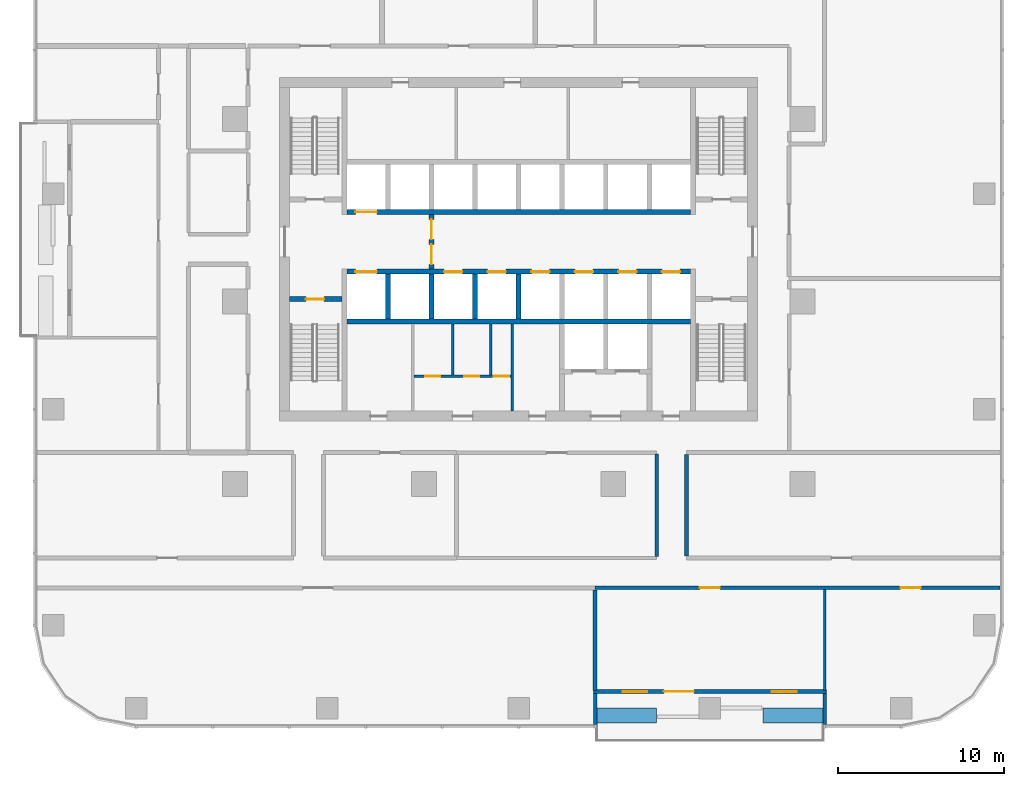
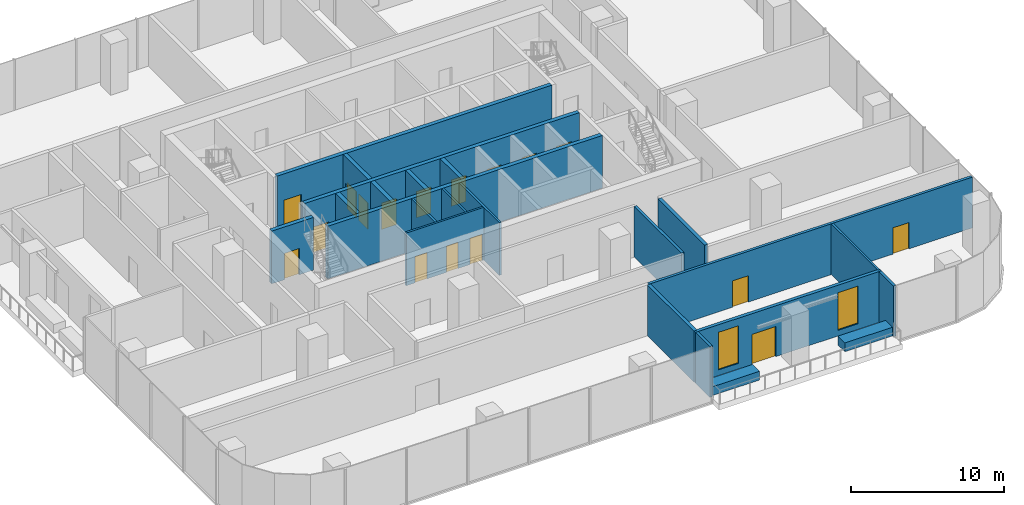
# One storey, part 8 of 15: 23 walls, 17 doors, 2 windows, 19 openings.
"""IFC4 building model written with IfcOpenShell, lengths in metres."""

from ifc_helpers import new_model, si_unit, direction, frame, frame_2d, origin, place, context, subcontext, project, spatial, rectangle, extrude, material, layer, layer_set, type_object, element, fill, save


model = new_model("IFC4")

# Units and contexts
model_context = context("Model", 3, precision=1e-05, world=origin(), true_north=direction((0.0, 1.0)))
body_context = subcontext(model_context, "Body", "Model", "MODEL_VIEW")
ifc_project = project(units=[si_unit("LENGTHUNIT", "METRE"), si_unit("AREAUNIT", "SQUARE_METRE"), si_unit("VOLUMEUNIT", "CUBIC_METRE"), si_unit("PLANEANGLEUNIT", "RADIAN"), si_unit("MASSUNIT", "GRAM", prefix="KILO")], contexts=[model_context])

# Site, building, storey
site_placement = place(None, origin())
site = spatial("IfcSite", under=ifc_project, at=site_placement, CompositionType="ELEMENT")
building_placement = place(site_placement, origin())
building = spatial("IfcBuilding", under=site, at=building_placement, Name="Mopane Tessera Tower", CompositionType="ELEMENT")
storey_placement = place(building_placement, frame((0.0, 0.0, 99.10009765625)))
storey = spatial("IfcBuildingStorey", under=building, at=storey_placement, Name="L19", CompositionType="ELEMENT", Elevation=99.10009765625)

# Wall, openings, doors
ifc_material_1 = material(Name="Fire-rated gypsum board partition")
ifc_layer_1 = layer(ifc_material_1, 0.14990234375)
ifc_layer_set_1 = layer_set([ifc_layer_1], Name="Fire-rated gypsum board partition")
wall_type_1 = type_object("IfcWallType", Name="Core room partition 150 mm", PredefinedType="PARTITIONING", material=ifc_layer_set_1)
wall_1_placement = place(storey_placement, frame((-6.300048828125, -4.5, 0.0), z_axis=(0.0, 0.0, 1.0), x_axis=(1.0, 0.0, 0.0)))
wall_1 = element("IfcWall", 1, at=wall_1_placement, inside=storey, type_object=wall_type_1, Name="L19 WC partition", PredefinedType="PARTITIONING", context=body_context, shape_type="SweptSolid", body=[
    extrude(rectangle(XDim=5.85009765625, YDim=0.14990234375, at=frame_2d((2.925048828125, 0.0))), origin(), (0.0, 0.0, 1.0), 4.199951171875),
])
opening_1_placement = place(wall_1_placement, frame((0.675048828125, 0.0, 0.0)))
opening_1 = element("IfcOpeningElement", 2, at=opening_1_placement, cuts=wall_1, Name="Opening WD1", PredefinedType="OPENING", context=body_context, shape_type="SweptSolid", body=[
    extrude(rectangle(XDim=0.89990234375, YDim=2.10009765625, at=frame_2d((0.449951171875, 1.050048828125))), frame((0.0, 0.0869140625, 0.0), z_axis=(0.0, -1.0, 0.0), x_axis=(1.0, 0.0, 0.0)), (0.0, 0.0, 1.0), 0.173828125),
])
opening_2_placement = place(wall_1_placement, frame((3.014892578125, 0.0, 0.0)))
opening_2 = element("IfcOpeningElement", 3, at=opening_2_placement, cuts=wall_1, Name="Opening WD1", PredefinedType="OPENING", context=body_context, shape_type="SweptSolid", body=[
    extrude(rectangle(XDim=0.89990234375, YDim=2.10009765625, at=frame_2d((0.449951171875, 1.050048828125))), frame((0.0, 0.0869140625, 0.0), z_axis=(0.0, -1.0, 0.0), x_axis=(1.0, 0.0, 0.0)), (0.0, 0.0, 1.0), 0.173828125),
])
opening_3_placement = place(wall_1_placement, frame((4.7900390625, 0.0, 0.0)))
opening_3 = element("IfcOpeningElement", 4, at=opening_3_placement, cuts=wall_1, Name="Opening WD2", PredefinedType="OPENING", context=body_context, shape_type="SweptSolid", body=[
    extrude(rectangle(XDim=0.949951171875, YDim=2.10009765625, at=frame_2d((0.47509765625, 1.050048828125))), frame((0.0, 0.0869140625, 0.0), z_axis=(0.0, -1.0, 0.0), x_axis=(1.0, 0.0, 0.0)), (0.0, 0.0, 1.0), 0.173828125),
])
ifc_material_2 = material(Name="Timber door", Category="wood")
door_type_1 = type_object("IfcDoorType", Name="Accessible WC door 950 x 2100", OperationType="SINGLE_SWING_LEFT", PredefinedType="DOOR", material=ifc_material_2)
door_1_placement = place(opening_3_placement, origin())
door_1 = element("IfcDoor", 5, at=door_1_placement, inside=storey, type_object=door_type_1, Name="L19 Accessible WC door", OperationType="SINGLE_SWING_LEFT", OverallHeight=2.10009765625, OverallWidth=0.949951171875, PredefinedType="DOOR", context=body_context, shape_type="SweptSolid", body=[
    extrude(rectangle(XDim=0.949951171875, YDim=2.10009765625, at=frame_2d((0.47509765625, 1.050048828125))), frame((0.0, 0.02490234375, 0.0), z_axis=(0.0, -1.0, 0.0), x_axis=(1.0, 0.0, 0.0)), (0.0, 0.0, 1.0), 0.050048828125),
])
fill(opening_3, door_1)
ifc_material_3 = material(Name="Timber door", Category="wood")
door_type_2 = type_object("IfcDoorType", Name="WC cubicle door 900 x 2100", OperationType="SINGLE_SWING_LEFT", PredefinedType="DOOR", material=ifc_material_3)
door_2_placement = place(opening_1_placement, origin())
door_2 = element("IfcDoor", 6, at=door_2_placement, inside=storey, type_object=door_type_2, Name="L19 Men's WC door", OperationType="SINGLE_SWING_LEFT", OverallHeight=2.10009765625, OverallWidth=0.89990234375, PredefinedType="DOOR", context=body_context, shape_type="SweptSolid", body=[
    extrude(rectangle(XDim=0.89990234375, YDim=2.10009765625, at=frame_2d((0.449951171875, 1.050048828125))), frame((0.0, 0.02490234375, 0.0), z_axis=(0.0, -1.0, 0.0), x_axis=(1.0, 0.0, 0.0)), (0.0, 0.0, 1.0), 0.050048828125),
])
fill(opening_1, door_2)
door_3_placement = place(opening_2_placement, origin())
door_3 = element("IfcDoor", 7, at=door_3_placement, inside=storey, type_object=door_type_2, Name="L19 Women's WC door", OperationType="SINGLE_SWING_LEFT", OverallHeight=2.10009765625, OverallWidth=0.89990234375, PredefinedType="DOOR", context=body_context, shape_type="SweptSolid", body=[
    extrude(rectangle(XDim=0.89990234375, YDim=2.10009765625, at=frame_2d((0.449951171875, 1.050048828125))), frame((0.0, 0.02490234375, 0.0), z_axis=(0.0, -1.0, 0.0), x_axis=(1.0, 0.0, 0.0)), (0.0, 0.0, 1.0), 0.050048828125),
])
fill(opening_2, door_3)

# Walls
for number, where, z_axis, x_axis, name in (
    (8, (-3.97509765625, -4.425048828125, 0.0), (0.0, 0.0, 1.0), (0.0, 1.0, 0.0), "L19 WC partition"),
    (9, (-1.695068359375, -4.425048828125, 0.0), (0.0, 0.0, 1.0), (0.0, 1.0, 0.0), "L19 WC partition"),
):
    element("IfcWall", number, at=place(storey_placement, frame(where, z_axis=z_axis, x_axis=x_axis)), inside=storey, type_object=wall_type_1, Name=name, PredefinedType="PARTITIONING", context=body_context, shape_type="SweptSolid", body=[
        extrude(rectangle(XDim=3.074951171875, YDim=0.14990234375, at=frame_2d((1.53759765625, 0.0))), origin(), (0.0, 0.0, 1.0), 4.199951171875),
    ])
wall_2_placement = place(storey_placement, frame((-0.375, -6.60009765625, 0.0), z_axis=(0.0, 0.0, 1.0), x_axis=(0.0, 1.0, 0.0)))
element("IfcWall", 10, at=wall_2_placement, inside=storey, type_object=wall_type_1, Name="L19 Room partition", PredefinedType="PARTITIONING", context=body_context, shape_type="SweptSolid", body=[
    extrude(rectangle(XDim=5.25, YDim=0.14990234375, at=frame_2d((2.625, 0.0))), origin(), (0.0, 0.0, 1.0), 4.199951171875),
])

# Wall, openings, doors
ifc_material_4 = material(Name="Gypsum board on steel studs, two layers each face, mineral wool infill", Category="steel")
ifc_layer_2 = layer(ifc_material_4, 0.199951171875)
ifc_layer_set_2 = layer_set([ifc_layer_2], Name="Gypsum board on steel studs, two layers each face, mineral wool infill")
wall_type_2 = type_object("IfcWallType", Name="Gypsum board corridor wall 200, rated EI 60", PredefinedType="PARTITIONING", material=ifc_layer_set_2)
wall_3_placement = place(storey_placement, frame((4.610107421875, -17.25, 0.0), z_axis=(0.0, 0.0, 1.0), x_axis=(1.0, 0.0, 0.0)))
wall_3 = element("IfcWall", 11, at=wall_3_placement, inside=storey, type_object=wall_type_2, Name="Partition L19:000", PredefinedType="PARTITIONING", context=body_context, shape_type="SweptSolid", body=[
    extrude(rectangle(XDim=24.389892578125, YDim=0.199951171875, at=frame_2d((12.19482421875, 0.0))), origin(), (0.0, 0.0, 1.0), 4.0498046875),
])
opening_4_placement = place(wall_3_placement, frame((6.31494140625, 0.0, 0.0)))
opening_4 = element("IfcOpeningElement", 12, at=opening_4_placement, cuts=wall_3, Name="Opening L19-16", PredefinedType="OPENING", context=body_context, shape_type="SweptSolid", body=[
    extrude(rectangle(XDim=1.199951171875, YDim=2.10009765625, at=frame_2d((0.60009765625, 1.050048828125))), frame((0.0, 0.112060546875, 0.0), z_axis=(0.0, -1.0, 0.0), x_axis=(1.0, 0.0, 0.0)), (0.0, 0.0, 1.0), 0.223876953125),
])
opening_5_placement = place(wall_3_placement, frame((18.409912109375, 0.0, 0.0)))
opening_5 = element("IfcOpeningElement", 13, at=opening_5_placement, cuts=wall_3, Name="Opening L19-19", PredefinedType="OPENING", context=body_context, shape_type="SweptSolid", body=[
    extrude(rectangle(XDim=1.199951171875, YDim=2.10009765625, at=frame_2d((0.60009765625, 1.050048828125))), frame((0.0, 0.112060546875, 0.0), z_axis=(0.0, -1.0, 0.0), x_axis=(1.0, 0.0, 0.0)), (0.0, 0.0, 1.0), 0.223876953125),
])
ifc_material_5 = material(Name="Timber veneered steel-framed fire door", Category="steel")
door_type_3 = type_object("IfcDoorType", Name="Fire door FD60 1200 x 2100", OperationType="SINGLE_SWING_LEFT", PredefinedType="DOOR", material=ifc_material_5)
door_4_placement = place(opening_4_placement, origin())
door_4 = element("IfcDoor", 14, at=door_4_placement, inside=storey, type_object=door_type_3, Name="Door L19-16", ObjectType="D15A", OperationType="SINGLE_SWING_RIGHT", OverallHeight=2.10009765625, OverallWidth=1.199951171875, PredefinedType="DOOR", context=body_context, shape_type="SweptSolid", body=[
    extrude(rectangle(XDim=1.199951171875, YDim=2.10009765625, at=frame_2d((0.60009765625, 1.050048828125))), frame((0.0, 0.02490234375, 0.0), z_axis=(0.0, -1.0, 0.0), x_axis=(1.0, 0.0, 0.0)), (0.0, 0.0, 1.0), 0.050048828125),
])
fill(opening_4, door_4)
door_5_placement = place(opening_5_placement, origin())
door_5 = element("IfcDoor", 15, at=door_5_placement, inside=storey, type_object=door_type_3, Name="Door L19-19", ObjectType="D15A", OperationType="SINGLE_SWING_LEFT", OverallHeight=2.10009765625, OverallWidth=1.199951171875, PredefinedType="DOOR", context=body_context, shape_type="SweptSolid", body=[
    extrude(rectangle(XDim=1.199951171875, YDim=2.10009765625, at=frame_2d((0.60009765625, 1.050048828125))), frame((0.0, 0.02490234375, 0.0), z_axis=(0.0, -1.0, 0.0), x_axis=(1.0, 0.0, 0.0)), (0.0, 0.0, 1.0), 0.050048828125),
])
fill(opening_5, door_5)

# Walls
wall_4_placement = place(storey_placement, frame((8.31494140625, -15.35009765625, 0.0), z_axis=(0.0, 0.0, 1.0), x_axis=(0.0, 1.0, 0.0)))
element("IfcWall", 16, at=wall_4_placement, inside=storey, type_object=wall_type_2, Name="Partition L19:041", PredefinedType="PARTITIONING", context=body_context, shape_type="SweptSolid", body=[
    extrude(rectangle(XDim=6.150146484375, YDim=0.199951171875, at=frame_2d((3.0751953125, 0.0))), origin(), (0.0, 0.0, 1.0), 4.0498046875),
])
ifc_material_6 = material(Name="Gypsum board on steel studs, mineral wool infill", Category="steel")
ifc_layer_3 = layer(ifc_material_6, 0.14990234375)
ifc_layer_set_3 = layer_set([ifc_layer_3], Name="Gypsum board on steel studs, mineral wool infill")
wall_type_3 = type_object("IfcWallType", Name="Gypsum board partition 150, rated EI 60", PredefinedType="PARTITIONING", material=ifc_layer_set_3)
wall_5_placement = place(storey_placement, frame((18.43994140625, -23.449951171875, 0.0), z_axis=(0.0, 0.0, 1.0), x_axis=(0.0, 1.0, 0.0)))
element("IfcWall", 17, at=wall_5_placement, inside=storey, type_object=wall_type_3, Name="Partition L19:048", PredefinedType="PARTITIONING", context=body_context, shape_type="SweptSolid", body=[
    extrude(rectangle(XDim=6.099853515625, YDim=0.14990234375, at=frame_2d((3.0498046875, 0.0))), origin(), (0.0, 0.0, 1.0), 4.0498046875),
])

# Wall, opening, door
ifc_material_7 = material(Name="Concrete C50/60", Category="concrete")
ifc_layer_4 = layer(ifc_material_7, 0.300048828125)
ifc_layer_set_4 = layer_set([ifc_layer_4], Name="Concrete C50/60")
wall_type_4 = type_object("IfcWallType", Name="Lift and stair shaft wall 300 mm", PredefinedType="SOLIDWALL", material=ifc_layer_set_4)
wall_6_placement = place(storey_placement, frame((-13.800048828125, 0.14990234375, 0.0), z_axis=(0.0, 0.0, 1.0), x_axis=(1.0, 0.0, 0.0)))
wall_6 = element("IfcWall", 18, at=wall_6_placement, inside=storey, type_object=wall_type_4, Name="L19 Stair enclosure wall", PredefinedType="SOLIDWALL", context=body_context, shape_type="SweptSolid", body=[
    extrude(rectangle(XDim=3.150146484375, YDim=0.300048828125, at=frame_2d((1.5751953125, 0.0))), origin(), (0.0, 0.0, 1.0), 4.199951171875),
])
opening_6_placement = place(wall_6_placement, frame((0.97509765625, 0.0, 0.0)))
opening_6 = element("IfcOpeningElement", 19, at=opening_6_placement, cuts=wall_6, Name="Opening SD1", PredefinedType="OPENING", context=body_context, shape_type="SweptSolid", body=[
    extrude(rectangle(XDim=1.10009765625, YDim=2.10009765625, at=frame_2d((0.550048828125, 1.050048828125))), frame((0.0, 0.162109375, 0.0), z_axis=(0.0, -1.0, 0.0), x_axis=(1.0, 0.0, 0.0)), (0.0, 0.0, 1.0), 0.323974609375),
])
ifc_material_8 = material(Name="Steel fire door", Category="steel")
door_type_4 = type_object("IfcDoorType", Name="Stair fire door 1100 x 2100", OperationType="SINGLE_SWING_LEFT", PredefinedType="DOOR", material=ifc_material_8)
door_6_placement = place(opening_6_placement, origin())
door_6 = element("IfcDoor", 20, at=door_6_placement, inside=storey, type_object=door_type_4, Name="L19 Stair door ST1", OperationType="SINGLE_SWING_LEFT", OverallHeight=2.10009765625, OverallWidth=1.10009765625, PredefinedType="DOOR", context=body_context, shape_type="SweptSolid", body=[
    extrude(rectangle(XDim=1.10009765625, YDim=2.10009765625, at=frame_2d((0.550048828125, 1.050048828125))), frame((0.0, 0.02490234375, 0.0), z_axis=(0.0, -1.0, 0.0), x_axis=(1.0, 0.0, 0.0)), (0.0, 0.0, 1.0), 0.050048828125),
])
fill(opening_6, door_6)

# Wall
wall_7_placement = place(storey_placement, frame((-10.35009765625, -1.199951171875, 0.0), z_axis=(0.0, 0.0, 1.0), x_axis=(1.0, 0.0, 0.0)))
element("IfcWall", 21, at=wall_7_placement, inside=storey, type_object=wall_type_4, Name="L19 Lift shaft rear wall", PredefinedType="SOLIDWALL", context=body_context, shape_type="SweptSolid", body=[
    extrude(rectangle(XDim=20.7001953125, YDim=0.300048828125, at=frame_2d((10.35009765625, 0.0))), origin(), (0.0, 0.0, 1.0), 4.199951171875),
])

# Wall, openings, doors
wall_8_placement = place(storey_placement, frame((-10.35009765625, 1.800048828125, 0.0), z_axis=(0.0, 0.0, 1.0), x_axis=(1.0, 0.0, 0.0)))
wall_8 = element("IfcWall", 22, at=wall_8_placement, inside=storey, type_object=wall_type_4, Name="L19 Lift shaft front wall", PredefinedType="SOLIDWALL", context=body_context, shape_type="SweptSolid", body=[
    extrude(rectangle(XDim=20.7001953125, YDim=0.300048828125, at=frame_2d((10.35009765625, 0.0))), origin(), (0.0, 0.0, 1.0), 4.199951171875),
])
opening_7_placement = place(wall_8_placement, frame((0.512451171875, 0.0, 0.0)))
opening_7 = element("IfcOpeningElement", 23, at=opening_7_placement, cuts=wall_8, Name="Opening LD2", PredefinedType="OPENING", context=body_context, shape_type="SweptSolid", body=[
    extrude(rectangle(XDim=1.300048828125, YDim=2.10009765625, at=frame_2d((0.64990234375, 1.050048828125))), frame((0.0, 0.162109375, 0.0), z_axis=(0.0, -1.0, 0.0), x_axis=(1.0, 0.0, 0.0)), (0.0, 0.0, 1.0), 0.323974609375),
])
opening_8_placement = place(wall_8_placement, frame((5.862548828125, 0.0, 0.0)))
opening_8 = element("IfcOpeningElement", 24, at=opening_8_placement, cuts=wall_8, Name="Opening LD", PredefinedType="OPENING", context=body_context, shape_type="SweptSolid", body=[
    extrude(rectangle(XDim=1.10009765625, YDim=2.10009765625, at=frame_2d((0.550048828125, 1.050048828125))), frame((0.0, 0.162109375, 0.0), z_axis=(0.0, -1.0, 0.0), x_axis=(1.0, 0.0, 0.0)), (0.0, 0.0, 1.0), 0.323974609375),
])
opening_9_placement = place(wall_8_placement, frame((8.487548828125, 0.0, 0.0)))
opening_9 = element("IfcOpeningElement", 25, at=opening_9_placement, cuts=wall_8, Name="Opening LD", PredefinedType="OPENING", context=body_context, shape_type="SweptSolid", body=[
    extrude(rectangle(XDim=1.10009765625, YDim=2.10009765625, at=frame_2d((0.550048828125, 1.050048828125))), frame((0.0, 0.162109375, 0.0), z_axis=(0.0, -1.0, 0.0), x_axis=(1.0, 0.0, 0.0)), (0.0, 0.0, 1.0), 0.323974609375),
])
opening_10_placement = place(wall_8_placement, frame((11.112548828125, 0.0, 0.0)))
opening_10 = element("IfcOpeningElement", 26, at=opening_10_placement, cuts=wall_8, Name="Opening LD", PredefinedType="OPENING", context=body_context, shape_type="SweptSolid", body=[
    extrude(rectangle(XDim=1.10009765625, YDim=2.10009765625, at=frame_2d((0.550048828125, 1.050048828125))), frame((0.0, 0.162109375, 0.0), z_axis=(0.0, -1.0, 0.0), x_axis=(1.0, 0.0, 0.0)), (0.0, 0.0, 1.0), 0.323974609375),
])
opening_11_placement = place(wall_8_placement, frame((13.737548828125, 0.0, 0.0)))
opening_11 = element("IfcOpeningElement", 27, at=opening_11_placement, cuts=wall_8, Name="Opening LD", PredefinedType="OPENING", context=body_context, shape_type="SweptSolid", body=[
    extrude(rectangle(XDim=1.10009765625, YDim=2.10009765625, at=frame_2d((0.550048828125, 1.050048828125))), frame((0.0, 0.162109375, 0.0), z_axis=(0.0, -1.0, 0.0), x_axis=(1.0, 0.0, 0.0)), (0.0, 0.0, 1.0), 0.323974609375),
])
opening_12_placement = place(wall_8_placement, frame((16.362548828125, 0.0, 0.0)))
opening_12 = element("IfcOpeningElement", 28, at=opening_12_placement, cuts=wall_8, Name="Opening LD", PredefinedType="OPENING", context=body_context, shape_type="SweptSolid", body=[
    extrude(rectangle(XDim=1.10009765625, YDim=2.10009765625, at=frame_2d((0.550048828125, 1.050048828125))), frame((0.0, 0.162109375, 0.0), z_axis=(0.0, -1.0, 0.0), x_axis=(1.0, 0.0, 0.0)), (0.0, 0.0, 1.0), 0.323974609375),
])
opening_13_placement = place(wall_8_placement, frame((18.987548828125, 0.0, 0.0)))
opening_13 = element("IfcOpeningElement", 29, at=opening_13_placement, cuts=wall_8, Name="Opening LD", PredefinedType="OPENING", context=body_context, shape_type="SweptSolid", body=[
    extrude(rectangle(XDim=1.10009765625, YDim=2.10009765625, at=frame_2d((0.550048828125, 1.050048828125))), frame((0.0, 0.162109375, 0.0), z_axis=(0.0, -1.0, 0.0), x_axis=(1.0, 0.0, 0.0)), (0.0, 0.0, 1.0), 0.323974609375),
])
ifc_material_9 = material(Name="Stainless steel sliding door", Category="steel")
door_type_5 = type_object("IfcDoorType", Name="Fire-fighting lift landing door 1300 x 2100", OperationType="DOUBLE_DOOR_SLIDING", PredefinedType="DOOR", material=ifc_material_9)
door_7_placement = place(opening_7_placement, origin())
door_7 = element("IfcDoor", 30, at=door_7_placement, inside=storey, type_object=door_type_5, Name="L19 Lift landing door FF1", OperationType="DOUBLE_DOOR_SLIDING", OverallHeight=2.10009765625, OverallWidth=1.300048828125, PredefinedType="DOOR", context=body_context, shape_type="SweptSolid", body=[
    extrude(rectangle(XDim=1.300048828125, YDim=2.10009765625, at=frame_2d((0.64990234375, 1.050048828125))), frame((0.0, 0.02490234375, 0.0), z_axis=(0.0, -1.0, 0.0), x_axis=(1.0, 0.0, 0.0)), (0.0, 0.0, 1.0), 0.050048828125),
])
fill(opening_7, door_7)
ifc_material_10 = material(Name="Stainless steel sliding door", Category="steel")
door_type_6 = type_object("IfcDoorType", Name="Lift landing door 1100 x 2100", OperationType="DOUBLE_DOOR_SLIDING", PredefinedType="DOOR", material=ifc_material_10)
door_8_placement = place(opening_8_placement, origin())
door_8 = element("IfcDoor", 31, at=door_8_placement, inside=storey, type_object=door_type_6, Name="L19 Lift landing door LR1", OperationType="DOUBLE_DOOR_SLIDING", OverallHeight=2.10009765625, OverallWidth=1.10009765625, PredefinedType="DOOR", context=body_context, shape_type="SweptSolid", body=[
    extrude(rectangle(XDim=1.10009765625, YDim=2.10009765625, at=frame_2d((0.550048828125, 1.050048828125))), frame((0.0, 0.02490234375, 0.0), z_axis=(0.0, -1.0, 0.0), x_axis=(1.0, 0.0, 0.0)), (0.0, 0.0, 1.0), 0.050048828125),
])
fill(opening_8, door_8)
door_9_placement = place(opening_9_placement, origin())
door_9 = element("IfcDoor", 32, at=door_9_placement, inside=storey, type_object=door_type_6, Name="L19 Lift landing door LR2", OperationType="DOUBLE_DOOR_SLIDING", OverallHeight=2.10009765625, OverallWidth=1.10009765625, PredefinedType="DOOR", context=body_context, shape_type="SweptSolid", body=[
    extrude(rectangle(XDim=1.10009765625, YDim=2.10009765625, at=frame_2d((0.550048828125, 1.050048828125))), frame((0.0, 0.02490234375, 0.0), z_axis=(0.0, -1.0, 0.0), x_axis=(1.0, 0.0, 0.0)), (0.0, 0.0, 1.0), 0.050048828125),
])
fill(opening_9, door_9)
door_10_placement = place(opening_10_placement, origin())
door_10 = element("IfcDoor", 33, at=door_10_placement, inside=storey, type_object=door_type_6, Name="L19 Lift landing door LR3", OperationType="DOUBLE_DOOR_SLIDING", OverallHeight=2.10009765625, OverallWidth=1.10009765625, PredefinedType="DOOR", context=body_context, shape_type="SweptSolid", body=[
    extrude(rectangle(XDim=1.10009765625, YDim=2.10009765625, at=frame_2d((0.550048828125, 1.050048828125))), frame((0.0, 0.02490234375, 0.0), z_axis=(0.0, -1.0, 0.0), x_axis=(1.0, 0.0, 0.0)), (0.0, 0.0, 1.0), 0.050048828125),
])
fill(opening_10, door_10)
door_11_placement = place(opening_11_placement, origin())
door_11 = element("IfcDoor", 34, at=door_11_placement, inside=storey, type_object=door_type_6, Name="L19 Lift landing door LR4", OperationType="DOUBLE_DOOR_SLIDING", OverallHeight=2.10009765625, OverallWidth=1.10009765625, PredefinedType="DOOR", context=body_context, shape_type="SweptSolid", body=[
    extrude(rectangle(XDim=1.10009765625, YDim=2.10009765625, at=frame_2d((0.550048828125, 1.050048828125))), frame((0.0, 0.02490234375, 0.0), z_axis=(0.0, -1.0, 0.0), x_axis=(1.0, 0.0, 0.0)), (0.0, 0.0, 1.0), 0.050048828125),
])
fill(opening_11, door_11)
door_12_placement = place(opening_12_placement, origin())
door_12 = element("IfcDoor", 35, at=door_12_placement, inside=storey, type_object=door_type_6, Name="L19 Lift landing door LR5", OperationType="DOUBLE_DOOR_SLIDING", OverallHeight=2.10009765625, OverallWidth=1.10009765625, PredefinedType="DOOR", context=body_context, shape_type="SweptSolid", body=[
    extrude(rectangle(XDim=1.10009765625, YDim=2.10009765625, at=frame_2d((0.550048828125, 1.050048828125))), frame((0.0, 0.02490234375, 0.0), z_axis=(0.0, -1.0, 0.0), x_axis=(1.0, 0.0, 0.0)), (0.0, 0.0, 1.0), 0.050048828125),
])
fill(opening_12, door_12)
door_13_placement = place(opening_13_placement, origin())
door_13 = element("IfcDoor", 36, at=door_13_placement, inside=storey, type_object=door_type_6, Name="L19 Lift landing door LR6", OperationType="DOUBLE_DOOR_SLIDING", OverallHeight=2.10009765625, OverallWidth=1.10009765625, PredefinedType="DOOR", context=body_context, shape_type="SweptSolid", body=[
    extrude(rectangle(XDim=1.10009765625, YDim=2.10009765625, at=frame_2d((0.550048828125, 1.050048828125))), frame((0.0, 0.02490234375, 0.0), z_axis=(0.0, -1.0, 0.0), x_axis=(1.0, 0.0, 0.0)), (0.0, 0.0, 1.0), 0.050048828125),
])
fill(opening_13, door_13)

# Wall, opening, door
wall_9_placement = place(storey_placement, frame((-10.35009765625, 5.39990234375, 0.0), z_axis=(0.0, 0.0, 1.0), x_axis=(1.0, 0.0, 0.0)))
wall_9 = element("IfcWall", 37, at=wall_9_placement, inside=storey, type_object=wall_type_4, Name="L19 Lift shaft front wall", PredefinedType="SOLIDWALL", context=body_context, shape_type="SweptSolid", body=[
    extrude(rectangle(XDim=20.7001953125, YDim=0.300048828125, at=frame_2d((10.35009765625, 0.0))), origin(), (0.0, 0.0, 1.0), 4.199951171875),
])
opening_14_placement = place(wall_9_placement, frame((0.512451171875, 0.0, 0.0)))
opening_14 = element("IfcOpeningElement", 38, at=opening_14_placement, cuts=wall_9, Name="Opening LD2", PredefinedType="OPENING", context=body_context, shape_type="SweptSolid", body=[
    extrude(rectangle(XDim=1.300048828125, YDim=2.10009765625, at=frame_2d((0.64990234375, 1.050048828125))), frame((0.0, 0.162109375, 0.0), z_axis=(0.0, -1.0, 0.0), x_axis=(1.0, 0.0, 0.0)), (0.0, 0.0, 1.0), 0.323974609375),
])
door_14_placement = place(opening_14_placement, origin())
door_14 = element("IfcDoor", 39, at=door_14_placement, inside=storey, type_object=door_type_5, Name="L19 Lift landing door FF2", OperationType="DOUBLE_DOOR_SLIDING", OverallHeight=2.10009765625, OverallWidth=1.300048828125, PredefinedType="DOOR", context=body_context, shape_type="SweptSolid", body=[
    extrude(rectangle(XDim=1.300048828125, YDim=2.10009765625, at=frame_2d((0.64990234375, 1.050048828125))), frame((0.0, 0.02490234375, 0.0), z_axis=(0.0, -1.0, 0.0), x_axis=(1.0, 0.0, 0.0)), (0.0, 0.0, 1.0), 0.050048828125),
])
fill(opening_14, door_14)

# Walls
for number, where, z_axis, x_axis, name in (
    (40, (-7.875, -1.050048828125, 0.0), (0.0, 0.0, 1.0), (0.0, 1.0, 0.0), "L19 Lift shaft wall"),
    (41, (-5.25, -1.050048828125, 0.0), (0.0, 0.0, 1.0), (0.0, 1.0, 0.0), "L19 Lift shaft wall"),
    (42, (-2.625, -1.050048828125, 0.0), (0.0, 0.0, 1.0), (0.0, 1.0, 0.0), "L19 Lift shaft wall"),
    (43, (0.0, -1.050048828125, 0.0), (0.0, 0.0, 1.0), (0.0, 1.0, 0.0), "L19 Lift shaft wall"),
):
    element("IfcWall", number, at=place(storey_placement, frame(where, z_axis=z_axis, x_axis=x_axis)), inside=storey, type_object=wall_type_4, Name=name, PredefinedType="SOLIDWALL", context=body_context, shape_type="SweptSolid", body=[
        extrude(rectangle(XDim=2.699951171875, YDim=0.300048828125, at=frame_2d((1.35009765625, 0.0))), origin(), (0.0, 0.0, 1.0), 4.199951171875),
    ])

# Wall, openings, doors
ifc_material_11 = material(Name="Concrete C50/60", Category="concrete")
ifc_layer_5 = layer(ifc_material_11, 0.300048828125)
ifc_layer_set_5 = layer_set([ifc_layer_5], Name="Concrete C50/60")
wall_type_5 = type_object("IfcWallType", Name="Lobby and refuge room wall 300 mm", PredefinedType="SOLIDWALL", material=ifc_layer_set_5)
wall_10_placement = place(storey_placement, frame((-5.25, 1.949951171875, 0.0), z_axis=(0.0, 0.0, 1.0), x_axis=(0.0, 1.0, 0.0)))
wall_10 = element("IfcWall", 44, at=wall_10_placement, inside=storey, type_object=wall_type_5, Name="L19 Fire-fighting lobby wall", PredefinedType="SOLIDWALL", context=body_context, shape_type="SweptSolid", body=[
    extrude(rectangle(XDim=3.300048828125, YDim=0.300048828125, at=frame_2d((1.64990234375, 0.0))), origin(), (0.0, 0.0, 1.0), 4.199951171875),
])
opening_15_placement = place(wall_10_placement, frame((0.300048828125, 0.0, 0.0)))
opening_15 = element("IfcOpeningElement", 45, at=opening_15_placement, cuts=wall_10, Name="Opening SD3", PredefinedType="OPENING", context=body_context, shape_type="SweptSolid", body=[
    extrude(rectangle(XDim=1.199951171875, YDim=2.10009765625, at=frame_2d((0.60009765625, 1.050048828125))), frame((0.0, 0.162109375, 0.0), z_axis=(0.0, -1.0, 0.0), x_axis=(1.0, 0.0, 0.0)), (0.0, 0.0, 1.0), 0.323974609375),
])
opening_16_placement = place(wall_10_placement, frame((1.800048828125, 0.0, 0.0)))
opening_16 = element("IfcOpeningElement", 46, at=opening_16_placement, cuts=wall_10, Name="Opening SD3", PredefinedType="OPENING", context=body_context, shape_type="SweptSolid", body=[
    extrude(rectangle(XDim=1.199951171875, YDim=2.10009765625, at=frame_2d((0.60009765625, 1.050048828125))), frame((0.0, 0.162109375, 0.0), z_axis=(0.0, -1.0, 0.0), x_axis=(1.0, 0.0, 0.0)), (0.0, 0.0, 1.0), 0.323974609375),
])
ifc_material_12 = material(Name="Steel fire door", Category="steel")
door_type_7 = type_object("IfcDoorType", Name="Lobby fire door 1200 x 2100", OperationType="SINGLE_SWING_LEFT", PredefinedType="DOOR", material=ifc_material_12)
door_15_placement = place(opening_15_placement, origin())
door_15 = element("IfcDoor", 47, at=door_15_placement, inside=storey, type_object=door_type_7, Name="L19 Fire-fighting lobby door", OperationType="SINGLE_SWING_LEFT", OverallHeight=2.10009765625, OverallWidth=1.199951171875, PredefinedType="DOOR", context=body_context, shape_type="SweptSolid", body=[
    extrude(rectangle(XDim=1.199951171875, YDim=2.10009765625, at=frame_2d((0.60009765625, 1.050048828125))), frame((0.0, 0.02490234375, 0.0), z_axis=(0.0, -1.0, 0.0), x_axis=(1.0, 0.0, 0.0)), (0.0, 0.0, 1.0), 0.050048828125),
])
fill(opening_15, door_15)
door_16_placement = place(opening_16_placement, origin())
door_16 = element("IfcDoor", 48, at=door_16_placement, inside=storey, type_object=door_type_7, Name="L19 Fire-fighting lobby door", OperationType="SINGLE_SWING_RIGHT", OverallHeight=2.10009765625, OverallWidth=1.199951171875, PredefinedType="DOOR", context=body_context, shape_type="SweptSolid", body=[
    extrude(rectangle(XDim=1.199951171875, YDim=2.10009765625, at=frame_2d((0.60009765625, 1.050048828125))), frame((0.0, 0.02490234375, 0.0), z_axis=(0.0, -1.0, 0.0), x_axis=(1.0, 0.0, 0.0)), (0.0, 0.0, 1.0), 0.050048828125),
])
fill(opening_16, door_16)

# Walls
ifc_material_13 = material(Name="Reinforced concrete C32/40 with waterproofing", Category="concrete")
ifc_layer_6 = layer(ifc_material_13, 0.89990234375)
ifc_layer_set_6 = layer_set([ifc_layer_6], Name="Reinforced concrete C32/40 with waterproofing")
wall_type_6 = type_object("IfcWallType", Name="Planter trough 3600 x 900", PredefinedType="STANDARD", material=ifc_layer_set_6)
for number, where, z_axis, x_axis, name in (
    (49, (4.7099609375, -24.949951171875, 0.0), (0.0, 0.0, 1.0), (1.0, 0.0, 0.0), "e:nw:L19:N3:pl0"),
    (50, (14.739990234375, -24.949951171875, 0.0), (0.0, 0.0, 1.0), (1.0, 0.0, 0.0), "e:nw:L19:N3:pl1"),
):
    element("IfcWall", number, at=place(storey_placement, frame(where, z_axis=z_axis, x_axis=x_axis)), inside=storey, type_object=wall_type_6, Name=name, PredefinedType="STANDARD", context=body_context, shape_type="SweptSolid", body=[
        extrude(rectangle(XDim=3.60009765625, YDim=0.89990234375, at=frame_2d((1.800048828125, 0.0))), origin(), (0.0, 0.0, 1.0), 0.699951171875),
    ])
ifc_material_14 = material(Name="Plastered concrete blockwork C20/25", Category="masonry")
ifc_layer_7 = layer(ifc_material_14, 0.25)
ifc_layer_set_7 = layer_set([ifc_layer_7], Name="Plastered concrete blockwork C20/25")
wall_type_7 = type_object("IfcWallType", Name="Plastered blockwork wall 250, rated EI 120", PredefinedType="PARTITIONING", material=ifc_layer_set_7)
wall_11_placement = place(storey_placement, frame((4.610107421875, -23.449951171875, 0.0), z_axis=(0.0, 0.0, 1.0), x_axis=(0.0, 1.0, 0.0)))
element("IfcWall", 51, at=wall_11_placement, inside=storey, type_object=wall_type_7, Name="Partition L19:040", PredefinedType="PARTITIONING", context=body_context, shape_type="SweptSolid", body=[
    extrude(rectangle(XDim=6.074951171875, YDim=0.25, at=frame_2d((3.03759765625, 0.0))), origin(), (0.0, 0.0, 1.0), 4.0498046875),
])
wall_12_placement = place(storey_placement, frame((10.114990234375, -15.324951171875, 0.0), z_axis=(0.0, 0.0, 1.0), x_axis=(0.0, 1.0, 0.0)))
element("IfcWall", 52, at=wall_12_placement, inside=storey, type_object=wall_type_7, Name="Partition L19:042", PredefinedType="PARTITIONING", context=body_context, shape_type="SweptSolid", body=[
    extrude(rectangle(XDim=6.099853515625, YDim=0.25, at=frame_2d((3.0498046875, 0.0))), origin(), (0.0, 0.0, 1.0), 4.0498046875),
])
ifc_material_15 = material(Name="Blockwork with glazed tile facing", Category="masonry")
ifc_layer_8 = layer(ifc_material_15, 0.199951171875)
ifc_layer_set_8 = layer_set([ifc_layer_8], Name="Blockwork with glazed tile facing")
wall_type_8 = type_object("IfcWallType", Name="Terrace cheek wall 200", PredefinedType="STANDARD", material=ifc_layer_set_8)
for number, where, z_axis, x_axis, name in (
    (53, (4.610107421875, -25.5, 0.0), (0.0, 0.0, 1.0), (0.0, 1.0, 0.0), "e:nw:L19:N3:cheeka"),
    (54, (18.43994140625, -25.5, 0.0), (0.0, 0.0, 1.0), (0.0, 1.0, 0.0), "e:nw:L19:N3:cheekb"),
):
    element("IfcWall", number, at=place(storey_placement, frame(where, z_axis=z_axis, x_axis=x_axis)), inside=storey, type_object=wall_type_8, Name=name, PredefinedType="STANDARD", context=body_context, shape_type="SweptSolid", body=[
        extrude(rectangle(XDim=1.875, YDim=0.199951171875, at=frame_2d((0.9375, 0.0))), origin(), (0.0, 0.0, 1.0), 4.0498046875),
    ])

# Wall, openings, windows, door
ifc_material_16 = material(Name="Blockwork with turquoise glazed tile facing", Category="masonry")
ifc_layer_9 = layer(ifc_material_16, 0.25)
ifc_layer_set_9 = layer_set([ifc_layer_9], Name="Blockwork with turquoise glazed tile facing")
wall_type_9 = type_object("IfcWallType", Name="Tile-clad external wall 250, turquoise", PredefinedType="STANDARD", material=ifc_layer_set_9)
wall_13_placement = place(storey_placement, frame((4.510009765625, -23.5, 0.0), z_axis=(0.0, 0.0, 1.0), x_axis=(1.0, 0.0, 0.0)))
wall_13 = element("IfcWall", 55, at=wall_13_placement, inside=storey, type_object=wall_type_9, Name="e:nw:L19:N3:back", PredefinedType="STANDARD", context=body_context, shape_type="SweptSolid", body=[
    extrude(rectangle(XDim=14.030029296875, YDim=0.25, at=frame_2d((7.01513671875, 0.0))), origin(), (0.0, 0.0, 1.0), 4.0498046875),
])
opening_17_placement = place(wall_13_placement, frame((1.75, 0.0, 0.449951171875)))
opening_17 = element("IfcOpeningElement", 56, at=opening_17_placement, cuts=wall_13, Name="Opening NW193A", PredefinedType="OPENING", context=body_context, shape_type="SweptSolid", body=[
    extrude(rectangle(XDim=1.5, YDim=3.0, at=frame_2d((0.75, 1.5))), frame((0.0, 0.136962890625, 0.0), z_axis=(0.0, -1.0, 0.0), x_axis=(1.0, 0.0, 0.0)), (0.0, 0.0, 1.0), 0.27392578125),
])
opening_18_placement = place(wall_13_placement, frame((4.25, 0.0, 0.0)))
opening_18 = element("IfcOpeningElement", 57, at=opening_18_placement, cuts=wall_13, Name="Opening ND193", PredefinedType="OPENING", context=body_context, shape_type="SweptSolid", body=[
    extrude(rectangle(XDim=1.800048828125, YDim=2.39990234375, at=frame_2d((0.89990234375, 1.199951171875))), frame((0.0, 0.136962890625, 0.0), z_axis=(0.0, -1.0, 0.0), x_axis=(1.0, 0.0, 0.0)), (0.0, 0.0, 1.0), 0.27392578125),
])
opening_19_placement = place(wall_13_placement, frame((10.75, 0.0, 0.449951171875)))
opening_19 = element("IfcOpeningElement", 58, at=opening_19_placement, cuts=wall_13, Name="Opening NW193B", PredefinedType="OPENING", context=body_context, shape_type="SweptSolid", body=[
    extrude(rectangle(XDim=1.5, YDim=3.0, at=frame_2d((0.75, 1.5))), frame((0.0, 0.136962890625, 0.0), z_axis=(0.0, -1.0, 0.0), x_axis=(1.0, 0.0, 0.0)), (0.0, 0.0, 1.0), 0.27392578125),
])
ifc_material_17 = material(Name="Clear laminated glass", Category="glass")
window_type = type_object("IfcWindowType", Name="Fixed window 1500 x 3000", PartitioningType="SINGLE_PANEL", PredefinedType="WINDOW", material=ifc_material_17)
window_1_placement = place(opening_17_placement, origin())
window_1 = element("IfcWindow", 59, at=window_1_placement, inside=storey, type_object=window_type, Name="e:nw:L19:N3:win0", OverallHeight=3.0, OverallWidth=1.5, PartitioningType="SINGLE_PANEL", PredefinedType="WINDOW", context=body_context, shape_type="SweptSolid", body=[
    extrude(rectangle(XDim=1.5, YDim=3.0, at=frame_2d((0.75, 1.5))), frame((0.0, 0.030029296875, 0.0), z_axis=(0.0, -1.0, 0.0), x_axis=(1.0, 0.0, 0.0)), (0.0, 0.0, 1.0), 0.06005859375),
])
fill(opening_17, window_1)
window_2_placement = place(opening_19_placement, origin())
window_2 = element("IfcWindow", 60, at=window_2_placement, inside=storey, type_object=window_type, Name="e:nw:L19:N3:win2", OverallHeight=3.0, OverallWidth=1.5, PartitioningType="SINGLE_PANEL", PredefinedType="WINDOW", context=body_context, shape_type="SweptSolid", body=[
    extrude(rectangle(XDim=1.5, YDim=3.0, at=frame_2d((0.75, 1.5))), frame((0.0, 0.030029296875, 0.0), z_axis=(0.0, -1.0, 0.0), x_axis=(1.0, 0.0, 0.0)), (0.0, 0.0, 1.0), 0.06005859375),
])
fill(opening_19, window_2)
ifc_material_18 = material(Name="Aluminium and clear glass", Category="aluminium")
door_type_8 = type_object("IfcDoorType", Name="Terrace double door 1800 x 2400", OperationType="DOUBLE_DOOR_SINGLE_SWING", PredefinedType="DOOR", material=ifc_material_18)
door_17_placement = place(opening_18_placement, origin())
door_17 = element("IfcDoor", 61, at=door_17_placement, inside=storey, type_object=door_type_8, Name="e:nw:L19:N3:door", ObjectType="D1", OperationType="DOUBLE_DOOR_SINGLE_SWING", OverallHeight=2.39990234375, OverallWidth=1.800048828125, PredefinedType="DOOR", context=body_context, shape_type="SweptSolid", body=[
    extrude(rectangle(XDim=1.800048828125, YDim=2.39990234375, at=frame_2d((0.89990234375, 1.199951171875))), frame((0.0, 0.02490234375, 0.0), z_axis=(0.0, -1.0, 0.0), x_axis=(1.0, 0.0, 0.0)), (0.0, 0.0, 1.0), 0.050048828125),
])
fill(opening_18, door_17)

save(model, "model.ifc")
